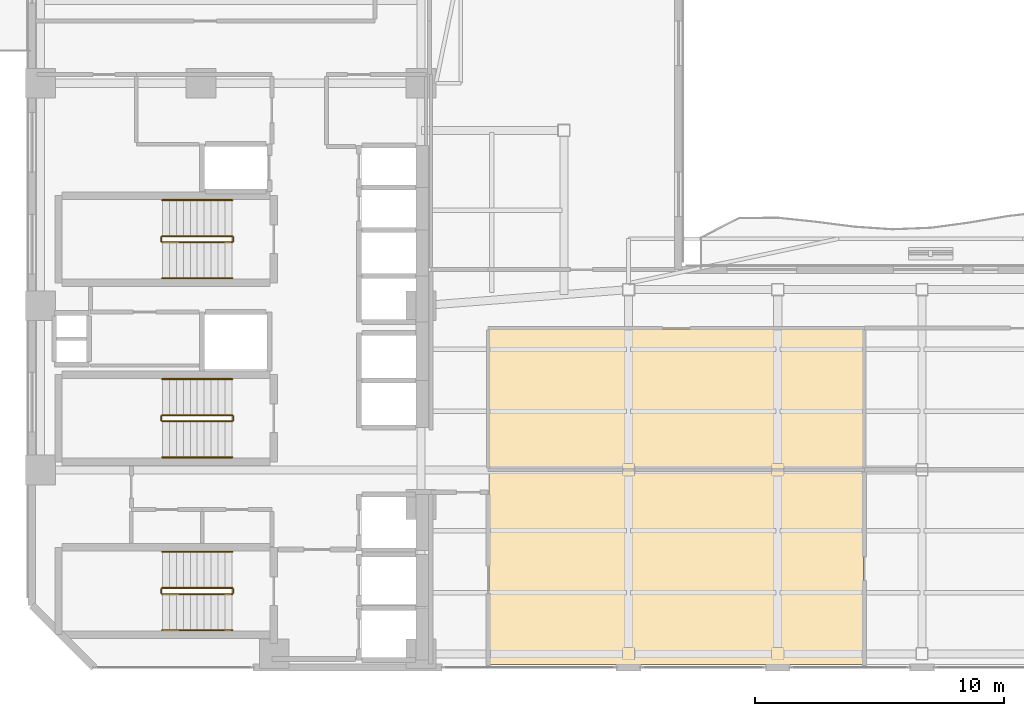
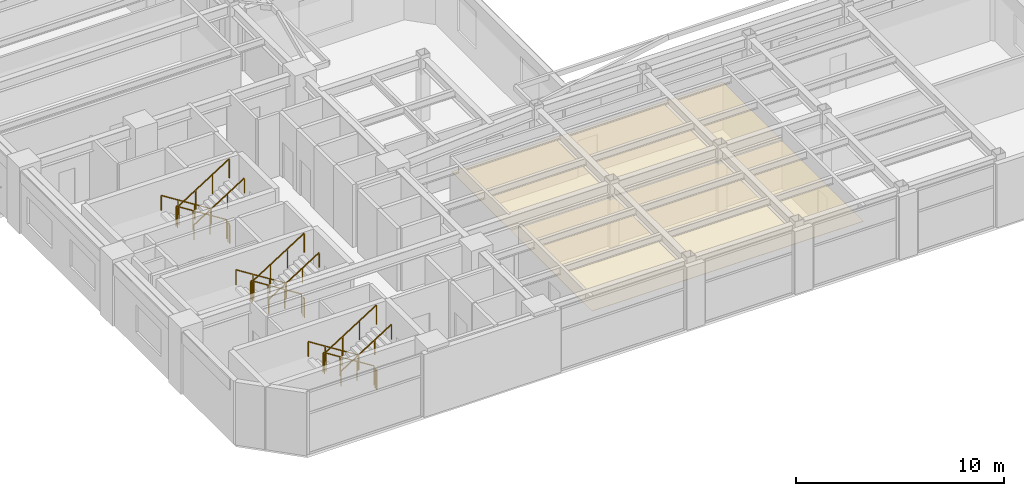
# One storey, part 13 of 15: 18 railings, 2 coverings.
"""IFC4 building model written with IfcOpenShell, lengths in metres."""

from ifc_helpers import new_model, si_unit, direction, frame, origin, origin_2d, place, context, subcontext, project, spatial, polyline, rectangle, outline, extrude, material, layer, layer_set, type_object, element, save


model = new_model("IFC4")

# Units and contexts
model_context = context("Model", 3, precision=1e-05, world=origin(), true_north=direction((0.0, 1.0)))
body_context = subcontext(model_context, "Body", "Model", "MODEL_VIEW")
ifc_project = project(units=[si_unit("LENGTHUNIT", "METRE"), si_unit("AREAUNIT", "SQUARE_METRE"), si_unit("VOLUMEUNIT", "CUBIC_METRE"), si_unit("PLANEANGLEUNIT", "RADIAN"), si_unit("MASSUNIT", "GRAM", prefix="KILO")], contexts=[model_context])

# Site, building, storey
site_placement = place(None, origin())
site = spatial("IfcSite", under=ifc_project, at=site_placement, CompositionType="ELEMENT")
building_placement = place(site_placement, origin())
building = spatial("IfcBuilding", under=site, at=building_placement, Name="Mawjaban Terraces University", CompositionType="ELEMENT")
storey_placement = place(building_placement, frame((0.0, 0.0, 119.0)))
storey = spatial("IfcBuildingStorey", under=building, at=storey_placement, Name="L28", CompositionType="ELEMENT", Elevation=119.0)

# Coverings
ifc_material_1 = material(Name="Acoustic mineral fibre ceiling tile", Category="masonry")
ifc_layer = layer(ifc_material_1, 0.02001953125)
ifc_layer_set = layer_set([ifc_layer], Name="Acoustic mineral fibre ceiling tile")
covering_type = type_object("IfcCoveringType", Name="AcousticMineralCeiling_20", PredefinedType="CEILING", material=ifc_layer_set)
covering_1_placement = place(storey_placement, frame((0.0, 0.0, 2.75)))
element("IfcCovering", 1, at=covering_1_placement, inside=storey, type_object=covering_type, Name="L28 Computational Laboratory 2 Acoustic Ceiling", PredefinedType="CEILING", context=body_context, shape_type="SweptSolid", body=[
    extrude(outline(polyline([(40.3798828125, 0.114990234375), (55.445068359375, 0.114990234375), (55.445068359375, 7.919921875), (40.3798828125, 7.919921875), (40.3798828125, 0.114990234375)])), origin(), (0.0, 0.0, 1.0), 0.02001953125),
])
covering_2_placement = place(storey_placement, frame((0.0, 0.0, 2.75)))
element("IfcCovering", 2, at=covering_2_placement, inside=storey, type_object=covering_type, Name="L28 Teaching Laboratory 3 Acoustic Ceiling", PredefinedType="CEILING", context=body_context, shape_type="SweptSolid", body=[
    extrude(outline(polyline([(55.445068359375, 7.97998046875), (55.445068359375, 13.6201171875), (40.3798828125, 13.6201171875), (40.3798828125, 7.97998046875), (55.445068359375, 7.97998046875)])), origin(), (0.0, 0.0, 1.0), 0.02001953125),
])

# Railings
ifc_material_2 = material(Name="Brushed stainless steel 316", Category="steel")
railing_type_1 = type_object("IfcRailingType", Name="StairWallHandrail_900", PredefinedType="HANDRAIL", material=ifc_material_2)
railing_1_placement = place(storey_placement, frame((30.050048828125, 4.64990234375, 0.17724609375)))
element("IfcRailing", 3, at=railing_1_placement, inside=storey, type_object=railing_type_1, Name="L28 ST-1 stair handrail 1", PredefinedType="HANDRAIL", context=body_context, shape_type="SweptSolid", body=[
    extrude(rectangle(XDim=0.048095703125, YDim=0.048095703125, at=origin_2d()), frame((0.0, 0.0, 0.8759765625), z_axis=(-0.844908973607, 0.0, 0.534910110503), x_axis=(0.0, -1.0, 0.0)), (0.0, 0.0, 1.0), 3.31396484375),
    extrude(rectangle(XDim=0.0419921875, YDim=0.0419921875, at=origin_2d()), origin(), (0.0, 0.0, 1.0), 0.851806640625),
    extrude(rectangle(XDim=0.0419921875, YDim=0.0419921875, at=origin_2d()), frame((-0.933349609375, 0.0, 0.5908203125)), (0.0, 0.0, 1.0), 0.851806640625),
    extrude(rectangle(XDim=0.0419921875, YDim=0.0419921875, at=origin_2d()), frame((-1.86669921875, 0.0, 1.181884765625)), (0.0, 0.0, 1.0), 0.851806640625),
    extrude(rectangle(XDim=0.0419921875, YDim=0.0419921875, at=origin_2d()), frame((-2.800048828125, 0.0, 1.772705078125)), (0.0, 0.0, 1.0), 0.851806640625),
])
railing_2_placement = place(storey_placement, frame((27.25, 1.5, 2.127197265625)))
element("IfcRailing", 4, at=railing_2_placement, inside=storey, type_object=railing_type_1, Name="L28 ST-1 stair handrail 2", PredefinedType="HANDRAIL", context=body_context, shape_type="SweptSolid", body=[
    extrude(rectangle(XDim=0.048095703125, YDim=0.048095703125, at=origin_2d()), frame((0.0, 0.0, 0.8759765625), z_axis=(0.844908973607, 0.0, 0.534910110503), x_axis=(0.0, 1.0, 0.0)), (0.0, 0.0, 1.0), 3.31396484375),
    extrude(rectangle(XDim=0.0419921875, YDim=0.0419921875, at=origin_2d()), origin(), (0.0, 0.0, 1.0), 0.851806640625),
    extrude(rectangle(XDim=0.0419921875, YDim=0.0419921875, at=origin_2d()), frame((0.933349609375, 0.0, 0.5908203125)), (0.0, 0.0, 1.0), 0.851806640625),
    extrude(rectangle(XDim=0.0419921875, YDim=0.0419921875, at=origin_2d()), frame((1.86669921875, 0.0, 1.181884765625)), (0.0, 0.0, 1.0), 0.851806640625),
    extrude(rectangle(XDim=0.0419921875, YDim=0.0419921875, at=origin_2d()), frame((2.800048828125, 0.0, 1.772705078125)), (0.0, 0.0, 1.0), 0.851806640625),
])
railing_3_placement = place(storey_placement, frame((30.050048828125, 18.800048828125, 0.17724609375)))
element("IfcRailing", 5, at=railing_3_placement, inside=storey, type_object=railing_type_1, Name="L28 ST-2 stair handrail 1", PredefinedType="HANDRAIL", context=body_context, shape_type="SweptSolid", body=[
    extrude(rectangle(XDim=0.048095703125, YDim=0.048095703125, at=origin_2d()), frame((0.0, 0.0, 0.8759765625), z_axis=(-0.844908973607, 0.0, 0.534910110503), x_axis=(0.0, -1.0, 0.0)), (0.0, 0.0, 1.0), 3.31396484375),
    extrude(rectangle(XDim=0.0419921875, YDim=0.0419921875, at=origin_2d()), origin(), (0.0, 0.0, 1.0), 0.851806640625),
    extrude(rectangle(XDim=0.0419921875, YDim=0.0419921875, at=origin_2d()), frame((-0.933349609375, 0.0, 0.5908203125)), (0.0, 0.0, 1.0), 0.851806640625),
    extrude(rectangle(XDim=0.0419921875, YDim=0.0419921875, at=origin_2d()), frame((-1.86669921875, 0.0, 1.181884765625)), (0.0, 0.0, 1.0), 0.851806640625),
    extrude(rectangle(XDim=0.0419921875, YDim=0.0419921875, at=origin_2d()), frame((-2.800048828125, 0.0, 1.772705078125)), (0.0, 0.0, 1.0), 0.851806640625),
])
railing_4_placement = place(storey_placement, frame((27.25, 15.64990234375, 2.127197265625)))
element("IfcRailing", 6, at=railing_4_placement, inside=storey, type_object=railing_type_1, Name="L28 ST-2 stair handrail 2", PredefinedType="HANDRAIL", context=body_context, shape_type="SweptSolid", body=[
    extrude(rectangle(XDim=0.048095703125, YDim=0.048095703125, at=origin_2d()), frame((0.0, 0.0, 0.8759765625), z_axis=(0.844908973607, 0.0, 0.534910110503), x_axis=(0.0, 1.0, 0.0)), (0.0, 0.0, 1.0), 3.31396484375),
    extrude(rectangle(XDim=0.0419921875, YDim=0.0419921875, at=origin_2d()), origin(), (0.0, 0.0, 1.0), 0.851806640625),
    extrude(rectangle(XDim=0.0419921875, YDim=0.0419921875, at=origin_2d()), frame((0.933349609375, 0.0, 0.5908203125)), (0.0, 0.0, 1.0), 0.851806640625),
    extrude(rectangle(XDim=0.0419921875, YDim=0.0419921875, at=origin_2d()), frame((1.86669921875, 0.0, 1.181884765625)), (0.0, 0.0, 1.0), 0.851806640625),
    extrude(rectangle(XDim=0.0419921875, YDim=0.0419921875, at=origin_2d()), frame((2.800048828125, 0.0, 1.772705078125)), (0.0, 0.0, 1.0), 0.851806640625),
])
railing_5_placement = place(storey_placement, frame((30.050048828125, 11.60009765625, 0.17724609375)))
element("IfcRailing", 7, at=railing_5_placement, inside=storey, type_object=railing_type_1, Name="L28 ST-3 stair handrail 1", PredefinedType="HANDRAIL", context=body_context, shape_type="SweptSolid", body=[
    extrude(rectangle(XDim=0.048095703125, YDim=0.048095703125, at=origin_2d()), frame((0.0, 0.0, 0.8759765625), z_axis=(-0.844908973607, 0.0, 0.534910110503), x_axis=(0.0, -1.0, 0.0)), (0.0, 0.0, 1.0), 3.31396484375),
    extrude(rectangle(XDim=0.0419921875, YDim=0.0419921875, at=origin_2d()), origin(), (0.0, 0.0, 1.0), 0.851806640625),
    extrude(rectangle(XDim=0.0419921875, YDim=0.0419921875, at=origin_2d()), frame((-0.933349609375, 0.0, 0.5908203125)), (0.0, 0.0, 1.0), 0.851806640625),
    extrude(rectangle(XDim=0.0419921875, YDim=0.0419921875, at=origin_2d()), frame((-1.86669921875, 0.0, 1.181884765625)), (0.0, 0.0, 1.0), 0.851806640625),
    extrude(rectangle(XDim=0.0419921875, YDim=0.0419921875, at=origin_2d()), frame((-2.800048828125, 0.0, 1.772705078125)), (0.0, 0.0, 1.0), 0.851806640625),
])
railing_6_placement = place(storey_placement, frame((27.25, 8.449951171875, 2.127197265625)))
element("IfcRailing", 8, at=railing_6_placement, inside=storey, type_object=railing_type_1, Name="L28 ST-3 stair handrail 2", PredefinedType="HANDRAIL", context=body_context, shape_type="SweptSolid", body=[
    extrude(rectangle(XDim=0.048095703125, YDim=0.048095703125, at=origin_2d()), frame((0.0, 0.0, 0.8759765625), z_axis=(0.844908973607, 0.0, 0.534910110503), x_axis=(0.0, 1.0, 0.0)), (0.0, 0.0, 1.0), 3.31396484375),
    extrude(rectangle(XDim=0.0419921875, YDim=0.0419921875, at=origin_2d()), origin(), (0.0, 0.0, 1.0), 0.851806640625),
    extrude(rectangle(XDim=0.0419921875, YDim=0.0419921875, at=origin_2d()), frame((0.933349609375, 0.0, 0.5908203125)), (0.0, 0.0, 1.0), 0.851806640625),
    extrude(rectangle(XDim=0.0419921875, YDim=0.0419921875, at=origin_2d()), frame((1.86669921875, 0.0, 1.181884765625)), (0.0, 0.0, 1.0), 0.851806640625),
    extrude(rectangle(XDim=0.0419921875, YDim=0.0419921875, at=origin_2d()), frame((2.800048828125, 0.0, 1.772705078125)), (0.0, 0.0, 1.0), 0.851806640625),
])
ifc_material_3 = material(Name="Galvanised painted steel S355", Category="steel")
railing_type_2 = type_object("IfcRailingType", Name="StairWellGuard_1150", PredefinedType="BALUSTRADE", material=ifc_material_3)
railing_7_placement = place(storey_placement, frame((30.050048828125, 3.199951171875, 0.17724609375)))
element("IfcRailing", 9, at=railing_7_placement, inside=storey, type_object=railing_type_2, Name="L28 ST-1 stair guard 1", PredefinedType="BALUSTRADE", context=body_context, shape_type="SweptSolid", body=[
    extrude(rectangle(XDim=0.048095703125, YDim=0.048095703125, at=origin_2d()), frame((0.0, 0.0, 1.1259765625), z_axis=(-0.844908973607, 0.0, 0.534910110503), x_axis=(0.0, -1.0, 0.0)), (0.0, 0.0, 1.0), 3.31396484375),
    extrude(rectangle(XDim=0.0419921875, YDim=0.0419921875, at=origin_2d()), origin(), (0.0, 0.0, 1.0), 1.101806640625),
    extrude(rectangle(XDim=0.0419921875, YDim=0.0419921875, at=origin_2d()), frame((-0.933349609375, 0.0, 0.5908203125)), (0.0, 0.0, 1.0), 1.101806640625),
    extrude(rectangle(XDim=0.0419921875, YDim=0.0419921875, at=origin_2d()), frame((-1.86669921875, 0.0, 1.181884765625)), (0.0, 0.0, 1.0), 1.101806640625),
    extrude(rectangle(XDim=0.0419921875, YDim=0.0419921875, at=origin_2d()), frame((-2.800048828125, 0.0, 1.772705078125)), (0.0, 0.0, 1.0), 1.101806640625),
])
railing_8_placement = place(storey_placement, frame((27.199951171875, 3.14990234375, 1.949951171875)))
element("IfcRailing", 10, at=railing_8_placement, inside=storey, type_object=railing_type_2, Name="L28 ST-1 stair guard 2", PredefinedType="BALUSTRADE", context=body_context, shape_type="SweptSolid", body=[
    extrude(rectangle(XDim=0.048095703125, YDim=0.048095703125, at=origin_2d()), frame((0.0, 0.0, 1.1259765625), z_axis=(0.0, -1.0, 0.0), x_axis=(1.0, 0.0, 0.0)), (0.0, 0.0, 1.0), 0.14990234375),
    extrude(rectangle(XDim=0.0419921875, YDim=0.0419921875, at=origin_2d()), origin(), (0.0, 0.0, 1.0), 1.101806640625),
    extrude(rectangle(XDim=0.0419921875, YDim=0.0419921875, at=origin_2d()), frame((0.0, -0.14990234375, 0.0)), (0.0, 0.0, 1.0), 1.101806640625),
])
railing_9_placement = place(storey_placement, frame((27.25, 2.949951171875, 2.127197265625)))
element("IfcRailing", 11, at=railing_9_placement, inside=storey, type_object=railing_type_2, Name="L28 ST-1 stair guard 3", PredefinedType="BALUSTRADE", context=body_context, shape_type="SweptSolid", body=[
    extrude(rectangle(XDim=0.048095703125, YDim=0.048095703125, at=origin_2d()), frame((0.0, 0.0, 1.1259765625), z_axis=(0.844908973607, 0.0, 0.534910110503), x_axis=(0.0, 1.0, 0.0)), (0.0, 0.0, 1.0), 3.31396484375),
    extrude(rectangle(XDim=0.0419921875, YDim=0.0419921875, at=origin_2d()), origin(), (0.0, 0.0, 1.0), 1.101806640625),
    extrude(rectangle(XDim=0.0419921875, YDim=0.0419921875, at=origin_2d()), frame((0.933349609375, 0.0, 0.5908203125)), (0.0, 0.0, 1.0), 1.101806640625),
    extrude(rectangle(XDim=0.0419921875, YDim=0.0419921875, at=origin_2d()), frame((1.86669921875, 0.0, 1.181884765625)), (0.0, 0.0, 1.0), 1.101806640625),
    extrude(rectangle(XDim=0.0419921875, YDim=0.0419921875, at=origin_2d()), frame((2.800048828125, 0.0, 1.772705078125)), (0.0, 0.0, 1.0), 1.101806640625),
])
railing_10_placement = place(storey_placement, frame((30.10009765625, 3.14990234375, 0.0)))
element("IfcRailing", 12, at=railing_10_placement, inside=storey, type_object=railing_type_2, Name="L28 ST-1 stair guard 4", PredefinedType="BALUSTRADE", context=body_context, shape_type="SweptSolid", body=[
    extrude(rectangle(XDim=0.048095703125, YDim=0.048095703125, at=origin_2d()), frame((0.0, 0.0, 1.1259765625), z_axis=(0.0, -1.0, 0.0), x_axis=(1.0, 0.0, 0.0)), (0.0, 0.0, 1.0), 0.14990234375),
    extrude(rectangle(XDim=0.0419921875, YDim=0.0419921875, at=origin_2d()), origin(), (0.0, 0.0, 1.0), 1.101806640625),
    extrude(rectangle(XDim=0.0419921875, YDim=0.0419921875, at=origin_2d()), frame((0.0, -0.14990234375, 0.0)), (0.0, 0.0, 1.0), 1.101806640625),
])
railing_11_placement = place(storey_placement, frame((30.050048828125, 17.35009765625, 0.17724609375)))
element("IfcRailing", 13, at=railing_11_placement, inside=storey, type_object=railing_type_2, Name="L28 ST-2 stair guard 1", PredefinedType="BALUSTRADE", context=body_context, shape_type="SweptSolid", body=[
    extrude(rectangle(XDim=0.048095703125, YDim=0.048095703125, at=origin_2d()), frame((0.0, 0.0, 1.1259765625), z_axis=(-0.844908973607, 0.0, 0.534910110503), x_axis=(0.0, -1.0, 0.0)), (0.0, 0.0, 1.0), 3.31396484375),
    extrude(rectangle(XDim=0.0419921875, YDim=0.0419921875, at=origin_2d()), origin(), (0.0, 0.0, 1.0), 1.101806640625),
    extrude(rectangle(XDim=0.0419921875, YDim=0.0419921875, at=origin_2d()), frame((-0.933349609375, 0.0, 0.5908203125)), (0.0, 0.0, 1.0), 1.101806640625),
    extrude(rectangle(XDim=0.0419921875, YDim=0.0419921875, at=origin_2d()), frame((-1.86669921875, 0.0, 1.181884765625)), (0.0, 0.0, 1.0), 1.101806640625),
    extrude(rectangle(XDim=0.0419921875, YDim=0.0419921875, at=origin_2d()), frame((-2.800048828125, 0.0, 1.772705078125)), (0.0, 0.0, 1.0), 1.101806640625),
])
railing_12_placement = place(storey_placement, frame((27.199951171875, 17.300048828125, 1.949951171875)))
element("IfcRailing", 14, at=railing_12_placement, inside=storey, type_object=railing_type_2, Name="L28 ST-2 stair guard 2", PredefinedType="BALUSTRADE", context=body_context, shape_type="SweptSolid", body=[
    extrude(rectangle(XDim=0.048095703125, YDim=0.048095703125, at=origin_2d()), frame((0.0, 0.0, 1.1259765625), z_axis=(0.0, -1.0, 0.0), x_axis=(1.0, 0.0, 0.0)), (0.0, 0.0, 1.0), 0.150146484375),
    extrude(rectangle(XDim=0.0419921875, YDim=0.0419921875, at=origin_2d()), origin(), (0.0, 0.0, 1.0), 1.101806640625),
    extrude(rectangle(XDim=0.0419921875, YDim=0.0419921875, at=origin_2d()), frame((0.0, -0.150146484375, 0.0)), (0.0, 0.0, 1.0), 1.101806640625),
])
railing_13_placement = place(storey_placement, frame((27.25, 17.10009765625, 2.127197265625)))
element("IfcRailing", 15, at=railing_13_placement, inside=storey, type_object=railing_type_2, Name="L28 ST-2 stair guard 3", PredefinedType="BALUSTRADE", context=body_context, shape_type="SweptSolid", body=[
    extrude(rectangle(XDim=0.048095703125, YDim=0.048095703125, at=origin_2d()), frame((0.0, 0.0, 1.1259765625), z_axis=(0.844908973607, 0.0, 0.534910110503), x_axis=(0.0, 1.0, 0.0)), (0.0, 0.0, 1.0), 3.31396484375),
    extrude(rectangle(XDim=0.0419921875, YDim=0.0419921875, at=origin_2d()), origin(), (0.0, 0.0, 1.0), 1.101806640625),
    extrude(rectangle(XDim=0.0419921875, YDim=0.0419921875, at=origin_2d()), frame((0.933349609375, 0.0, 0.5908203125)), (0.0, 0.0, 1.0), 1.101806640625),
    extrude(rectangle(XDim=0.0419921875, YDim=0.0419921875, at=origin_2d()), frame((1.86669921875, 0.0, 1.181884765625)), (0.0, 0.0, 1.0), 1.101806640625),
    extrude(rectangle(XDim=0.0419921875, YDim=0.0419921875, at=origin_2d()), frame((2.800048828125, 0.0, 1.772705078125)), (0.0, 0.0, 1.0), 1.101806640625),
])
railing_14_placement = place(storey_placement, frame((30.10009765625, 17.300048828125, 0.0)))
element("IfcRailing", 16, at=railing_14_placement, inside=storey, type_object=railing_type_2, Name="L28 ST-2 stair guard 4", PredefinedType="BALUSTRADE", context=body_context, shape_type="SweptSolid", body=[
    extrude(rectangle(XDim=0.048095703125, YDim=0.048095703125, at=origin_2d()), frame((0.0, 0.0, 1.1259765625), z_axis=(0.0, -1.0, 0.0), x_axis=(1.0, 0.0, 0.0)), (0.0, 0.0, 1.0), 0.150146484375),
    extrude(rectangle(XDim=0.0419921875, YDim=0.0419921875, at=origin_2d()), origin(), (0.0, 0.0, 1.0), 1.101806640625),
    extrude(rectangle(XDim=0.0419921875, YDim=0.0419921875, at=origin_2d()), frame((0.0, -0.150146484375, 0.0)), (0.0, 0.0, 1.0), 1.101806640625),
])
railing_15_placement = place(storey_placement, frame((30.050048828125, 10.14990234375, 0.17724609375)))
element("IfcRailing", 17, at=railing_15_placement, inside=storey, type_object=railing_type_2, Name="L28 ST-3 stair guard 1", PredefinedType="BALUSTRADE", context=body_context, shape_type="SweptSolid", body=[
    extrude(rectangle(XDim=0.048095703125, YDim=0.048095703125, at=origin_2d()), frame((0.0, 0.0, 1.1259765625), z_axis=(-0.844908973607, 0.0, 0.534910110503), x_axis=(0.0, -1.0, 0.0)), (0.0, 0.0, 1.0), 3.31396484375),
    extrude(rectangle(XDim=0.0419921875, YDim=0.0419921875, at=origin_2d()), origin(), (0.0, 0.0, 1.0), 1.101806640625),
    extrude(rectangle(XDim=0.0419921875, YDim=0.0419921875, at=origin_2d()), frame((-0.933349609375, 0.0, 0.5908203125)), (0.0, 0.0, 1.0), 1.101806640625),
    extrude(rectangle(XDim=0.0419921875, YDim=0.0419921875, at=origin_2d()), frame((-1.86669921875, 0.0, 1.181884765625)), (0.0, 0.0, 1.0), 1.101806640625),
    extrude(rectangle(XDim=0.0419921875, YDim=0.0419921875, at=origin_2d()), frame((-2.800048828125, 0.0, 1.772705078125)), (0.0, 0.0, 1.0), 1.101806640625),
])
railing_16_placement = place(storey_placement, frame((27.199951171875, 10.10009765625, 1.949951171875)))
element("IfcRailing", 18, at=railing_16_placement, inside=storey, type_object=railing_type_2, Name="L28 ST-3 stair guard 2", PredefinedType="BALUSTRADE", context=body_context, shape_type="SweptSolid", body=[
    extrude(rectangle(XDim=0.048095703125, YDim=0.048095703125, at=origin_2d()), frame((0.0, 0.0, 1.1259765625), z_axis=(0.0, -1.0, 0.0), x_axis=(1.0, 0.0, 0.0)), (0.0, 0.0, 1.0), 0.150146484375),
    extrude(rectangle(XDim=0.0419921875, YDim=0.0419921875, at=origin_2d()), origin(), (0.0, 0.0, 1.0), 1.101806640625),
    extrude(rectangle(XDim=0.0419921875, YDim=0.0419921875, at=origin_2d()), frame((0.0, -0.150146484375, 0.0)), (0.0, 0.0, 1.0), 1.101806640625),
])
railing_17_placement = place(storey_placement, frame((27.25, 9.89990234375, 2.127197265625)))
element("IfcRailing", 19, at=railing_17_placement, inside=storey, type_object=railing_type_2, Name="L28 ST-3 stair guard 3", PredefinedType="BALUSTRADE", context=body_context, shape_type="SweptSolid", body=[
    extrude(rectangle(XDim=0.048095703125, YDim=0.048095703125, at=origin_2d()), frame((0.0, 0.0, 1.1259765625), z_axis=(0.844908973607, 0.0, 0.534910110503), x_axis=(0.0, 1.0, 0.0)), (0.0, 0.0, 1.0), 3.31396484375),
    extrude(rectangle(XDim=0.0419921875, YDim=0.0419921875, at=origin_2d()), origin(), (0.0, 0.0, 1.0), 1.101806640625),
    extrude(rectangle(XDim=0.0419921875, YDim=0.0419921875, at=origin_2d()), frame((0.933349609375, 0.0, 0.5908203125)), (0.0, 0.0, 1.0), 1.101806640625),
    extrude(rectangle(XDim=0.0419921875, YDim=0.0419921875, at=origin_2d()), frame((1.86669921875, 0.0, 1.181884765625)), (0.0, 0.0, 1.0), 1.101806640625),
    extrude(rectangle(XDim=0.0419921875, YDim=0.0419921875, at=origin_2d()), frame((2.800048828125, 0.0, 1.772705078125)), (0.0, 0.0, 1.0), 1.101806640625),
])
railing_18_placement = place(storey_placement, frame((30.10009765625, 10.10009765625, 0.0)))
element("IfcRailing", 20, at=railing_18_placement, inside=storey, type_object=railing_type_2, Name="L28 ST-3 stair guard 4", PredefinedType="BALUSTRADE", context=body_context, shape_type="SweptSolid", body=[
    extrude(rectangle(XDim=0.048095703125, YDim=0.048095703125, at=origin_2d()), frame((0.0, 0.0, 1.1259765625), z_axis=(0.0, -1.0, 0.0), x_axis=(1.0, 0.0, 0.0)), (0.0, 0.0, 1.0), 0.150146484375),
    extrude(rectangle(XDim=0.0419921875, YDim=0.0419921875, at=origin_2d()), origin(), (0.0, 0.0, 1.0), 1.101806640625),
    extrude(rectangle(XDim=0.0419921875, YDim=0.0419921875, at=origin_2d()), frame((0.0, -0.150146484375, 0.0)), (0.0, 0.0, 1.0), 1.101806640625),
])

save(model, "model.ifc")
